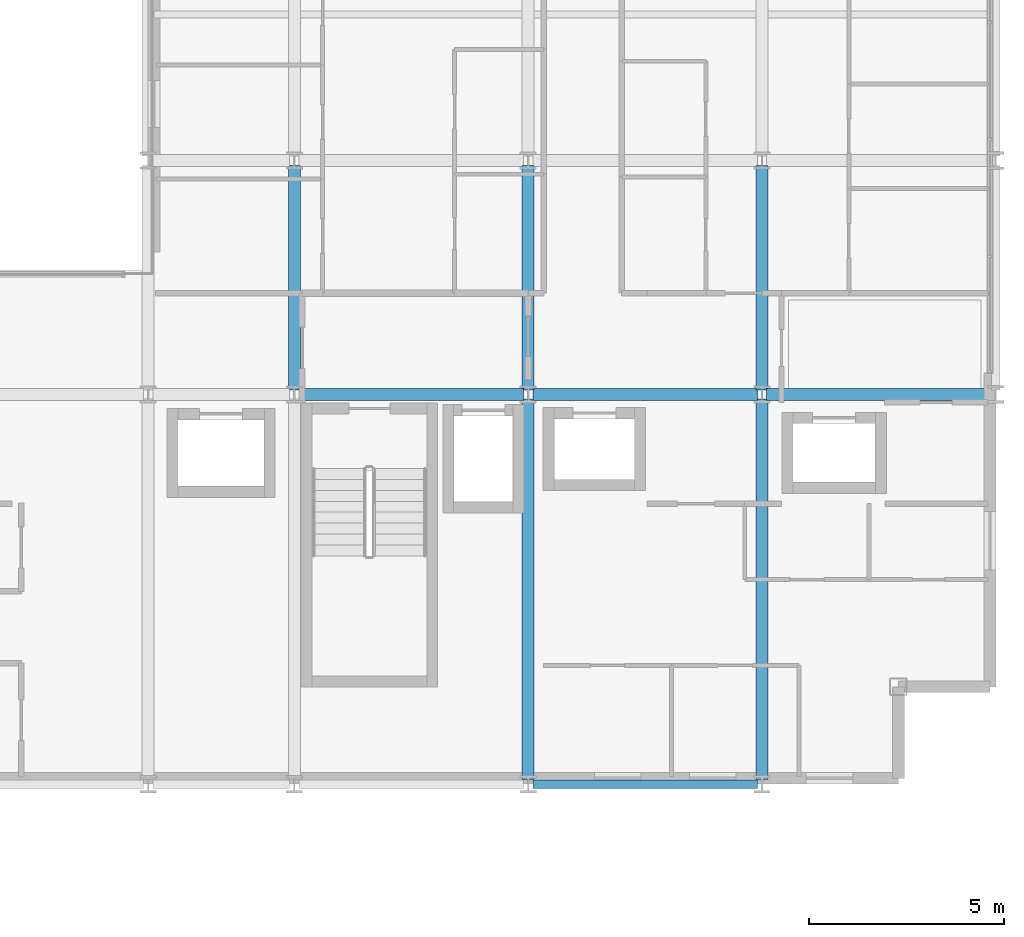
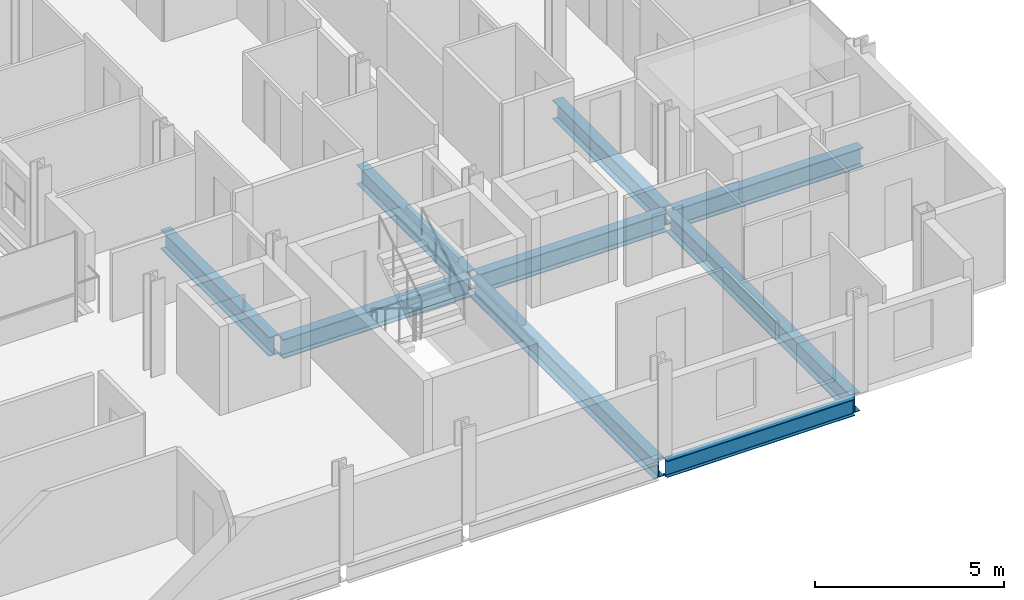
# One storey, part 14 of 41: 9 beams.
"""IFC4 building model written with IfcOpenShell, lengths in metres."""

from ifc_helpers import new_model, si_unit, direction, frame, origin, origin_2d, place, context, subcontext, project, spatial, i_section, extrude, material, material_profile, profile_set, type_object, element, save


model = new_model("IFC4")

# Units and contexts
model_context = context("Model", 3, precision=1e-05, world=origin(), true_north=direction((0.0, 1.0)))
body_context = subcontext(model_context, "Body", "Model", "MODEL_VIEW")
ifc_project = project(units=[si_unit("LENGTHUNIT", "METRE"), si_unit("AREAUNIT", "SQUARE_METRE"), si_unit("VOLUMEUNIT", "CUBIC_METRE"), si_unit("PLANEANGLEUNIT", "RADIAN"), si_unit("MASSUNIT", "GRAM", prefix="KILO")], contexts=[model_context])

# Site, building, storey
site_placement = place(None, origin())
site = spatial("IfcSite", under=ifc_project, at=site_placement, CompositionType="ELEMENT")
building_placement = place(site_placement, origin())
building = spatial("IfcBuilding", under=site, at=building_placement, Name="Brevholm Reach", CompositionType="ELEMENT")
storey_placement = place(building_placement, frame((0.0, 0.0, 68.300048828125)))
storey = spatial("IfcBuildingStorey", under=building, at=storey_placement, Name="L19", CompositionType="ELEMENT", Elevation=68.300048828125)

# Beams
ifc_material_1 = material(Name="Structural Steel S355J2", Category="steel")
ifc_material_profile_1 = material_profile(ifc_material_1, i_section(OverallWidth=0.210693359375, OverallDepth=0.53955078125, WebThickness=0.01171875, FlangeThickness=0.018798828125, FilletRadius=0.0126953125, at=origin_2d()), Name="UKB 533x210x109")
ifc_profile_set_1 = profile_set([ifc_material_profile_1], Name="Structural Steel S355J2")
beam_type_1 = type_object("IfcBeamType", Name="BM-SP539", PredefinedType="SPANDREL", material=ifc_profile_set_1)
beam_1_placement = place(storey_placement, frame((48.1201171875, 0.0, -0.499755859375), z_axis=(1.0, 0.0, 0.0), x_axis=(0.0, 1.0, 0.0)))
element("IfcBeam", 1, at=beam_1_placement, inside=storey, type_object=beam_type_1, Name="L19 SP-01B Framing Beam", PredefinedType="SPANDREL", context=body_context, shape_type="SweptSolid", body=[
    extrude(i_section(OverallWidth=0.210693359375, OverallDepth=0.53955078125, WebThickness=0.01171875, FlangeThickness=0.018798828125, FilletRadius=0.0126953125, at=origin_2d()), origin(), (0.0, 0.0, 1.0), 5.759765625),
])
ifc_material_2 = material(Name="Structural Steel S355J2", Category="steel")
ifc_material_profile_2 = material_profile(ifc_material_2, i_section(OverallWidth=0.30712890625, OverallDepth=0.6201171875, WebThickness=0.01416015625, FlangeThickness=0.023681640625, FilletRadius=0.0166015625, at=origin_2d()), Name="UKB 610x305x179")
ifc_profile_set_2 = profile_set([ifc_material_profile_2], Name="Structural Steel S355J2")
beam_type_2 = type_object("IfcBeamType", Name="BM-UKB610H", PredefinedType="USERDEFINED", material=ifc_profile_set_2)
for number, where, z_axis, x_axis, name in (
    (2, (42.1201171875, 10.0, -0.5400390625), (1.0, 0.0, 0.0), (0.0, 1.0, 0.0), "L19 G-06 Framing Beam"),
    (3, (48.1201171875, 10.0, -0.5400390625), (1.0, 0.0, 0.0), (0.0, 1.0, 0.0), "L19 G-06 Framing Beam"),
    (4, (54.1201171875, 10.0, -0.5400390625), (1.0, 0.0, 0.0), (0.0, 1.0, 0.0), "L19 G-06 Framing Beam"),
    (5, (42.0, 10.1201171875, -0.5400390625), (0.0, 1.0, 0.0), (-1.0, 0.0, 0.0), "L19 G-06 Framing Beam"),
):
    element("IfcBeam", number, at=place(storey_placement, frame(where, z_axis=z_axis, x_axis=x_axis)), inside=storey, type_object=beam_type_2, Name=name, ObjectType="GIRDER", PredefinedType="USERDEFINED", context=body_context, shape_type="SweptSolid", body=[
        extrude(i_section(OverallWidth=0.30712890625, OverallDepth=0.6201171875, WebThickness=0.01416015625, FlangeThickness=0.023681640625, FilletRadius=0.0166015625, at=origin_2d()), origin(), (0.0, 0.0, 1.0), 5.759765625),
    ])
beam_2_placement = place(storey_placement, frame((48.0, 0.1201171875, -0.5400390625), z_axis=(0.0, 1.0, 0.0), x_axis=(-1.0, 0.0, 0.0)))
element("IfcBeam", 6, at=beam_2_placement, inside=storey, type_object=beam_type_2, Name="L19 G-06 Framing Beam", ObjectType="GIRDER", PredefinedType="USERDEFINED", context=body_context, shape_type="SweptSolid", body=[
    extrude(i_section(OverallWidth=0.30712890625, OverallDepth=0.6201171875, WebThickness=0.01416015625, FlangeThickness=0.023681640625, FilletRadius=0.0166015625, at=origin_2d()), origin(), (0.0, 0.0, 1.0), 9.759765625),
])
beam_3_placement = place(storey_placement, frame((48.0, 10.1201171875, -0.5400390625), z_axis=(0.0, 1.0, 0.0), x_axis=(-1.0, 0.0, 0.0)))
element("IfcBeam", 7, at=beam_3_placement, inside=storey, type_object=beam_type_2, Name="L19 G-06 Framing Beam", ObjectType="GIRDER", PredefinedType="USERDEFINED", context=body_context, shape_type="SweptSolid", body=[
    extrude(i_section(OverallWidth=0.30712890625, OverallDepth=0.6201171875, WebThickness=0.01416015625, FlangeThickness=0.023681640625, FilletRadius=0.0166015625, at=origin_2d()), origin(), (0.0, 0.0, 1.0), 5.759765625),
])
beam_4_placement = place(storey_placement, frame((54.0, 0.1201171875, -0.5400390625), z_axis=(0.0, 1.0, 0.0), x_axis=(-1.0, 0.0, 0.0)))
element("IfcBeam", 8, at=beam_4_placement, inside=storey, type_object=beam_type_2, Name="L19 G-06 Framing Beam", ObjectType="GIRDER", PredefinedType="USERDEFINED", context=body_context, shape_type="SweptSolid", body=[
    extrude(i_section(OverallWidth=0.30712890625, OverallDepth=0.6201171875, WebThickness=0.01416015625, FlangeThickness=0.023681640625, FilletRadius=0.0166015625, at=origin_2d()), origin(), (0.0, 0.0, 1.0), 9.759765625),
])
beam_5_placement = place(storey_placement, frame((54.0, 10.1201171875, -0.5400390625), z_axis=(0.0, 1.0, 0.0), x_axis=(-1.0, 0.0, 0.0)))
element("IfcBeam", 9, at=beam_5_placement, inside=storey, type_object=beam_type_2, Name="L19 G-06 Framing Beam", ObjectType="GIRDER", PredefinedType="USERDEFINED", context=body_context, shape_type="SweptSolid", body=[
    extrude(i_section(OverallWidth=0.30712890625, OverallDepth=0.6201171875, WebThickness=0.01416015625, FlangeThickness=0.023681640625, FilletRadius=0.0166015625, at=origin_2d()), origin(), (0.0, 0.0, 1.0), 5.759765625),
])

save(model, "model.ifc")
